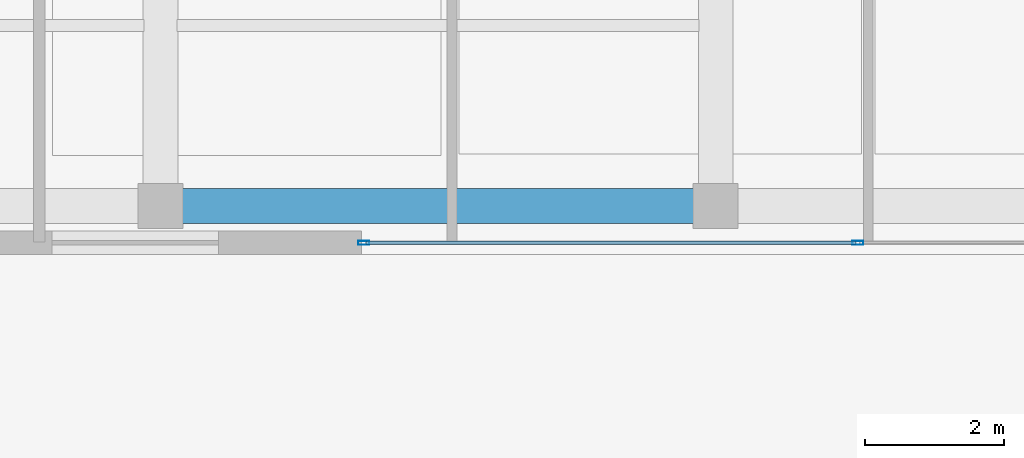
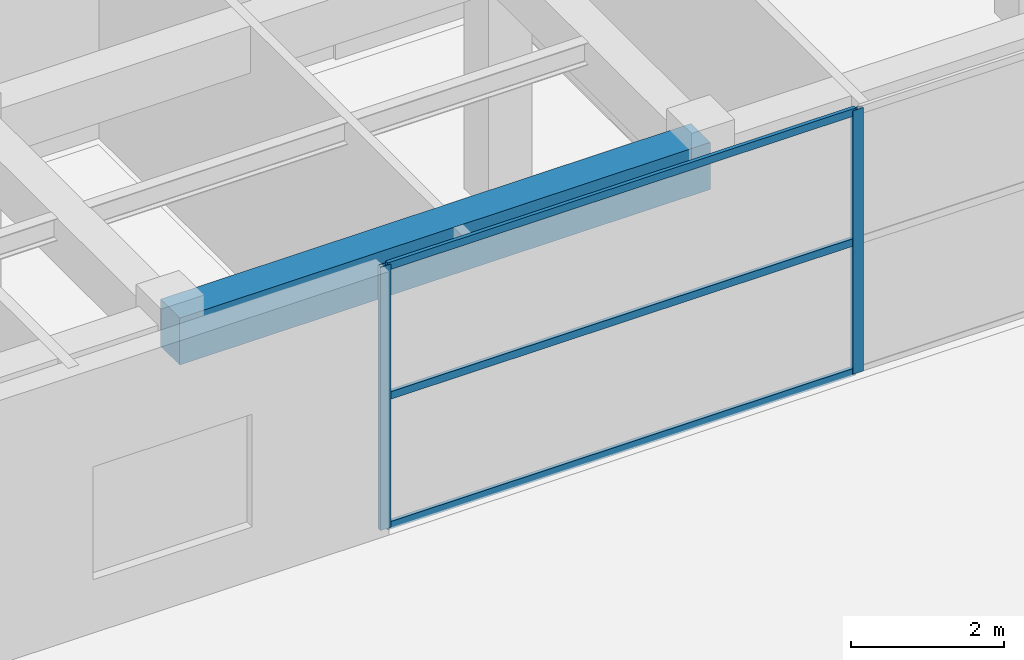
# One storey, part 12 of 39: 5 members, 1 beam, 1 element without a shape of its own.
"""IFC4 building model written with IfcOpenShell, lengths in metres."""

import ifcopenshell
import ifcopenshell.guid

model = None  # the IFC model being written
_history = None  # IfcOwnerHistory: only IFC2X3 demands one
_inside = {}  # id of a spatial element -> (the spatial element, [elements in it])
_under = {}  # id of a project, library or spatial element -> (it, [spatial elements below it])
_declared = {}  # id of a project -> (the project, [libraries it declares])
_typed = {}  # id of a type object -> (the type object, [elements of that type])
_made_of = {}  # id of a material, layer set ... -> (it, [elements and type objects made of it])


def new_model(schema):
    """Start an empty IFC model of exactly this schema.

    Asked for "IFC4X3", IfcOpenShell would pick the latest addendum, in which some entities
    have other attributes; the version numbers below select the first issue.
    IFC2X3 requires an IfcOwnerHistory on every rooted entity: one is made here for all.
    """
    global model, _history
    if schema == "IFC4X3":
        model = ifcopenshell.file(schema_version=(4, 3, 0, 0))
    else:
        model = ifcopenshell.file(schema=schema)
    _inside.clear()
    _under.clear()
    _declared.clear()
    _typed.clear()
    _made_of.clear()
    _history = None
    if model.schema == "IFC2X3":
        org = make("IfcOrganization", Name="unknown")
        user = make(
            "IfcPersonAndOrganization",
            ThePerson=make("IfcPerson", FamilyName="unknown"),
            TheOrganization=org,
        )
        app = make(
            "IfcApplication",
            ApplicationDeveloper=org,
            Version="unknown",
            ApplicationFullName="unknown",
            ApplicationIdentifier="unknown",
        )
        _history = make(
            "IfcOwnerHistory",
            OwningUser=user,
            OwningApplication=app,
            ChangeAction="ADDED",
            CreationDate=0,
        )
    return model


def make(cls, **values):
    """One entity of the class cls with the attributes given. An attribute that is None is left unset."""
    return model.create_entity(
        cls, **{name: value for name, value in values.items() if value is not None}
    )


def rooted(cls, **values):
    """An entity with a GlobalId (a new one), such as an element, a storey or a relation."""
    return make(cls, GlobalId=ifcopenshell.guid.new(), OwnerHistory=_history, **values)


def si_unit(unit_type, name, prefix=None):
    """IfcSIUnit, for example si_unit("LENGTHUNIT", "METRE", prefix="MILLI")."""
    return make("IfcSIUnit", UnitType=unit_type, Prefix=prefix, Name=name)


def assignment(units):
    """IfcUnitAssignment: the units of a project."""
    return None if units is None else make("IfcUnitAssignment", Units=units)


def point(xyz):
    """IfcCartesianPoint."""
    return None if xyz is None else make("IfcCartesianPoint", Coordinates=xyz)


def direction(xyz):
    """IfcDirection."""
    return None if xyz is None else make("IfcDirection", DirectionRatios=xyz)


def frame(location, z_axis=None, x_axis=None):
    """IfcAxis2Placement3D, a coordinate frame: its origin and axes. An axis left out is left unset."""
    return make(
        "IfcAxis2Placement3D",
        Location=point(location),
        Axis=direction(z_axis),
        RefDirection=direction(x_axis),
    )


def frame_2d(location, x_axis=None):
    """IfcAxis2Placement2D, a coordinate frame in the plane: its origin and x axis."""
    return make(
        "IfcAxis2Placement2D", Location=point(location), RefDirection=direction(x_axis)
    )


def origin():
    """The frame at (0, 0, 0) with its axes left unset."""
    return frame((0.0, 0.0, 0.0))


def origin_2d():
    """The frame at (0, 0) in the plane with its x axis left unset."""
    return frame_2d((0.0, 0.0))


def place(relative_to, where):
    """IfcLocalPlacement: puts the frame where relative to a parent placement (None: the world)."""
    return make(
        "IfcLocalPlacement", PlacementRelTo=relative_to, RelativePlacement=where
    )


def context(
    kind, dimensions, precision=None, world=None, true_north=None, identifier=None
):
    """IfcGeometricRepresentationContext, for example the 3D "Model" context."""
    return make(
        "IfcGeometricRepresentationContext",
        ContextIdentifier=identifier,
        ContextType=kind,
        CoordinateSpaceDimension=dimensions,
        Precision=precision,
        WorldCoordinateSystem=world,
        TrueNorth=true_north,
    )


def subcontext(parent, identifier, kind, view, scale=None):
    """IfcGeometricRepresentationSubContext, for example "Body" below "Model"."""
    return make(
        "IfcGeometricRepresentationSubContext",
        ContextIdentifier=identifier,
        ContextType=kind,
        ParentContext=parent,
        TargetScale=scale,
        TargetView=view,
    )


def project(units=None, contexts=None):
    """IfcProject with its units and contexts."""
    return rooted(
        "IfcProject",
        Name="project",
        RepresentationContexts=contexts,
        UnitsInContext=assignment(units),
    )


def spatial(cls, under=None, at=None, **own):
    """A site, building, storey or space (cls), placed at a placement, below another one or the project."""
    s = rooted(cls, ObjectPlacement=at, **own)
    if under is not None:
        _under.setdefault(under.id(), (under, []))[1].append(s)
    return s


def profile(cls, at=None, kind="AREA", **sizes):
    """A parametric profile (cls). Its sizes go by their IFC names, for example OverallWidth=200.0."""
    return make(cls, ProfileType=kind, Position=at, **sizes)


def rectangle(**sizes):
    """IfcRectangleProfileDef."""
    return profile("IfcRectangleProfileDef", **sizes)


def hollow_rectangle(**sizes):
    """IfcRectangleHollowProfileDef."""
    return profile("IfcRectangleHollowProfileDef", **sizes)


def extrude(swept, where, along, depth):
    """IfcExtrudedAreaSolid: the profile swept, set in the frame where, extruded along a direction by depth."""
    return make(
        "IfcExtrudedAreaSolid",
        SweptArea=swept,
        Position=where,
        ExtrudedDirection=direction(along),
        Depth=depth,
    )


def shape(context_of_items, identifier, shape_type, items):
    """IfcShapeRepresentation: the items that make up one representation, for example the "Body"."""
    return make(
        "IfcShapeRepresentation",
        ContextOfItems=context_of_items,
        RepresentationIdentifier=identifier,
        RepresentationType=shape_type,
        Items=items,
    )


def source(mapping_origin, context_of_items, identifier, shape_type, items):
    """IfcRepresentationMap: a shape defined once, which mapped items show again and again."""
    return make(
        "IfcRepresentationMap",
        MappingOrigin=mapping_origin,
        MappedRepresentation=shape(context_of_items, identifier, shape_type, items),
    )


def transform(
    local_origin,
    x_axis=None,
    y_axis=None,
    z_axis=None,
    scale=None,
    scale2=None,
    scale3=None,
    uniform=True,
):
    """IfcCartesianTransformationOperator3D, or its non-uniform kind. x_axis, y_axis, z_axis: its Axis1, 2, 3."""
    if uniform:
        return make(
            "IfcCartesianTransformationOperator3D",
            Axis1=direction(x_axis),
            Axis2=direction(y_axis),
            LocalOrigin=point(local_origin),
            Scale=scale,
            Axis3=direction(z_axis),
        )
    return make(
        "IfcCartesianTransformationOperator3DnonUniform",
        Axis1=direction(x_axis),
        Axis2=direction(y_axis),
        LocalOrigin=point(local_origin),
        Scale=scale,
        Axis3=direction(z_axis),
        Scale2=scale2,
        Scale3=scale3,
    )


def mapped(mapping_source, mapping_target):
    """IfcMappedItem: shows the shape of a source again, moved by a transform."""
    return make(
        "IfcMappedItem", MappingSource=mapping_source, MappingTarget=mapping_target
    )


def material(Name=None, Category=None):
    """IfcMaterial."""
    return make("IfcMaterial", Name=Name, Category=Category)


def layer(
    of_material, thickness, ventilated=None, Name=None, Category=None, Priority=None
):
    """IfcMaterialLayer: one layer of a wall or slab, of a material (None: an air gap)."""
    return make(
        "IfcMaterialLayer",
        Material=of_material,
        LayerThickness=thickness,
        IsVentilated=ventilated,
        Name=Name,
        Category=Category,
        Priority=Priority,
    )


def layer_set(layers, Name=None):
    """IfcMaterialLayerSet."""
    return make("IfcMaterialLayerSet", MaterialLayers=layers, LayerSetName=Name)


def material_profile(
    of_material, cross_section, Name=None, Category=None, Priority=None
):
    """IfcMaterialProfile: a cross section and its material."""
    return make(
        "IfcMaterialProfile",
        Name=Name,
        Material=of_material,
        Profile=cross_section,
        Priority=Priority,
        Category=Category,
    )


def profile_set(profiles, Name=None, composite=None):
    """IfcMaterialProfileSet."""
    return make(
        "IfcMaterialProfileSet",
        Name=Name,
        MaterialProfiles=profiles,
        CompositeProfile=composite,
    )


def made_of(thing, what):
    """Note that an element or type object is made of a material, layer set ...; save() writes the relation."""
    if what is not None:
        _made_of.setdefault(what.id(), (what, []))[1].append(thing)
    return thing


def type_object(cls, material=None, **own):
    """A type object (cls), such as IfcWallType, which elements share."""
    return made_of(rooted(cls, **own), material)


def element(
    cls,
    number,
    at=None,
    inside=None,
    cuts=None,
    type_object=None,
    material=None,
    context=None,
    identifier="Body",
    shape_type=None,
    held_by="IfcProductDefinitionShape",
    body=None,
    shapes=None,
    **own,
):
    """One element of the class cls, such as IfcWall. Its Tag is "e" and its number.

    at: its placement. inside: the storey or other place that contains it. cuts: it is an
    opening in that element (IfcRelVoidsElement). A single representation is given by context,
    identifier, shape_type and body (its items); several are given by shapes. held_by: the class
    of the entity that holds the representations. save() writes the other relations.
    """
    e = rooted(cls, Tag="e%d" % number, ObjectPlacement=at, **own)
    if body is not None:
        shapes = [shape(context, identifier, shape_type, body)]
    if shapes is not None:
        e.Representation = make(held_by, Representations=shapes)
    if inside is not None:
        _inside.setdefault(inside.id(), (inside, []))[1].append(e)
    if cuts is not None:
        rooted(
            "IfcRelVoidsElement", RelatingBuildingElement=cuts, RelatedOpeningElement=e
        )
    if type_object is not None:
        _typed.setdefault(type_object.id(), (type_object, []))[1].append(e)
    return made_of(e, material)


def aggregate(whole, parts):
    """IfcRelAggregates: a whole, such as a stair, and the parts it consists of."""
    return rooted("IfcRelAggregates", RelatingObject=whole, RelatedObjects=parts)


def save(model, path):
    """Write the relations noted so far, then the file.

    IfcRelAggregates (storeys below a building ...), IfcRelContainedInSpatialStructure (elements
    in a storey), IfcRelDefinesByType, IfcRelAssociatesMaterial and IfcRelDeclares: one each for
    every whole, place, type object, material and project.
    """
    for whole, parts in _under.values():
        aggregate(whole, parts)
    for where, things in _inside.values():
        rooted(
            "IfcRelContainedInSpatialStructure",
            RelatedElements=things,
            RelatingStructure=where,
        )
    for kind, things in _typed.values():
        rooted("IfcRelDefinesByType", RelatedObjects=things, RelatingType=kind)
    for what, things in _made_of.values():
        rooted("IfcRelAssociatesMaterial", RelatedObjects=things, RelatingMaterial=what)
    for by, libraries in _declared.values():
        rooted("IfcRelDeclares", RelatingContext=by, RelatedDefinitions=libraries)
    model.write(path)


model = new_model("IFC4")

# Units and contexts
model_context = context("Model", 3, precision=1e-05, world=origin(), true_north=direction((0.0, 1.0)))
body_context = subcontext(model_context, "Body", "Model", "MODEL_VIEW")
ifc_project = project(units=[si_unit("LENGTHUNIT", "METRE"), si_unit("AREAUNIT", "SQUARE_METRE"), si_unit("VOLUMEUNIT", "CUBIC_METRE"), si_unit("PLANEANGLEUNIT", "RADIAN"), si_unit("MASSUNIT", "GRAM", prefix="KILO")], contexts=[model_context])

# Site, building, storey
site_placement = place(None, origin())
site = spatial("IfcSite", under=ifc_project, at=site_placement, CompositionType="ELEMENT")
building_placement = place(site_placement, origin())
building = spatial("IfcBuilding", under=site, at=building_placement, Name="Khoralis Quay Care Tower", CompositionType="ELEMENT")
storey_placement = place(building_placement, origin())
storey = spatial("IfcBuildingStorey", under=building, at=storey_placement, Name="L00", CompositionType="ELEMENT", Elevation=0.0)

# Beam
ifc_material_1 = material(Name="Concrete C40/50", Category="concrete")
ifc_material_profile_1 = material_profile(ifc_material_1, rectangle(XDim=0.5, YDim=0.75, at=origin_2d()), Name="Concrete C40/50")
ifc_profile_set_1 = profile_set([ifc_material_profile_1], Name="Concrete C40/50")
beam_type = type_object("IfcBeamType", Name="BM-RC500X750", PredefinedType="BEAM", material=ifc_profile_set_1)
shared_shape_1 = source(origin(), body_context, "Body", "SweptSolid", [
    extrude(rectangle(XDim=0.5, YDim=0.75, at=origin_2d()), origin(), (0.0, 0.0, 1.0), 8.0),
])
beam_placement = place(storey_placement, frame((76.0, 6.699951171875, 3.824951171875), z_axis=(1.0, 0.0, 0.0), x_axis=(0.0, 1.0, 0.0)))
element("IfcBeam", 1, at=beam_placement, inside=storey, type_object=beam_type, Name="BM-SCX-L00-02", PredefinedType="BEAM", context=body_context, shape_type="MappedRepresentation", body=[
    mapped(shared_shape_1, transform((0.0, 0.0, 0.0), scale=1.0)),
])

# Curtain wall, members
ifc_material_2 = material(Name="Pale anodised aluminium", Category="aluminium")
ifc_layer = layer(ifc_material_2, 0.14990234375)
ifc_layer_set = layer_set([ifc_layer], Name="Pale anodised aluminium")
curtain_wall_type = type_object("IfcCurtainWallType", Name="CW-SYS-SCHOOL", PredefinedType="NOTDEFINED", material=ifc_layer_set)
curtain_wall_placement = place(storey_placement, origin())
curtain_wall = element("IfcCurtainWall", 2, at=curtain_wall_placement, inside=storey, type_object=curtain_wall_type, Name="L00 Unitised Curtain Wall CW-SCH-L00-E0", PredefinedType="NOTDEFINED")
ifc_material_profile_2 = material_profile(ifc_material_2, hollow_rectangle(XDim=0.06005859375, YDim=0.159912109375, WallThickness=0.00390625, at=origin_2d()), Name="Pale anodised aluminium")
ifc_profile_set_2 = profile_set([ifc_material_profile_2], Name="Pale anodised aluminium")
member_type_1 = type_object("IfcMemberType", Name="CW-MUL-160", PredefinedType="MULLION", material=ifc_profile_set_2)
shared_shape_2 = source(origin(), body_context, "Body", "SweptSolid", [
    extrude(hollow_rectangle(XDim=0.06005859375, YDim=0.159912109375, WallThickness=0.00390625, at=origin_2d()), origin(), (0.0, 0.0, 1.0), 4.199951171875),
])
member_1_placement = place(storey_placement, frame((78.927978515625, 6.169921875, 0.0), z_axis=(0.0, 0.0, 1.0), x_axis=(0.0, 1.0, 0.0)))
member_1 = element("IfcMember", 3, at=member_1_placement, type_object=member_type_1, Name="CW6 mullion 1", PredefinedType="MULLION", context=body_context, shape_type="MappedRepresentation", body=[
    mapped(shared_shape_2, transform((0.0, 0.0, 0.0), scale=1.0)),
])
member_2_placement = place(storey_placement, frame((86.050048828125, 6.169921875, 0.0), z_axis=(0.0, 0.0, 1.0), x_axis=(0.0, 1.0, 0.0)))
member_2 = element("IfcMember", 4, at=member_2_placement, type_object=member_type_1, Name="CW6 mullion 2", PredefinedType="MULLION", context=body_context, shape_type="MappedRepresentation", body=[
    mapped(shared_shape_2, transform((0.0, 0.0, 0.0), scale=1.0)),
])
ifc_material_profile_3 = material_profile(ifc_material_2, hollow_rectangle(XDim=0.054931640625, YDim=0.1201171875, WallThickness=0.00390625, at=origin_2d()), Name="Pale anodised aluminium")
ifc_profile_set_3 = profile_set([ifc_material_profile_3], Name="Pale anodised aluminium")
member_type_2 = type_object("IfcMemberType", Name="CW-TRN-120", PredefinedType="USERDEFINED", material=ifc_profile_set_3)
shared_shape_3 = source(origin(), body_context, "Body", "SweptSolid", [
    extrude(hollow_rectangle(XDim=0.054931640625, YDim=0.1201171875, WallThickness=0.00390625, at=origin_2d()), origin(), (0.0, 0.0, 1.0), 7.06201171875),
])
member_3_placement = place(storey_placement, frame((78.9580078125, 6.169921875, 0.030029296875), z_axis=(1.0, 0.0, 0.0), x_axis=(0.0, 1.0, 0.0)))
member_3 = element("IfcMember", 5, at=member_3_placement, type_object=member_type_2, Name="CW6 transom 1.1", ObjectType="TRANSOM", PredefinedType="USERDEFINED", context=body_context, shape_type="MappedRepresentation", body=[
    mapped(shared_shape_3, transform((0.0, 0.0, 0.0), scale=1.0)),
])
member_4_placement = place(storey_placement, frame((78.9580078125, 6.169921875, 2.10009765625), z_axis=(1.0, 0.0, 0.0), x_axis=(0.0, 1.0, 0.0)))
member_4 = element("IfcMember", 6, at=member_4_placement, type_object=member_type_2, Name="CW6 transom 1.2", ObjectType="TRANSOM", PredefinedType="USERDEFINED", context=body_context, shape_type="MappedRepresentation", body=[
    mapped(shared_shape_3, transform((0.0, 0.0, 0.0), scale=1.0)),
])
member_5_placement = place(storey_placement, frame((78.9580078125, 6.169921875, 4.169921875), z_axis=(1.0, 0.0, 0.0), x_axis=(0.0, 1.0, 0.0)))
member_5 = element("IfcMember", 7, at=member_5_placement, type_object=member_type_2, Name="CW6 transom 1.3", ObjectType="TRANSOM", PredefinedType="USERDEFINED", context=body_context, shape_type="MappedRepresentation", body=[
    mapped(shared_shape_3, transform((0.0, 0.0, 0.0), scale=1.0)),
])
aggregate(curtain_wall, [member_1, member_2, member_3, member_4, member_5])

save(model, "model.ifc")
